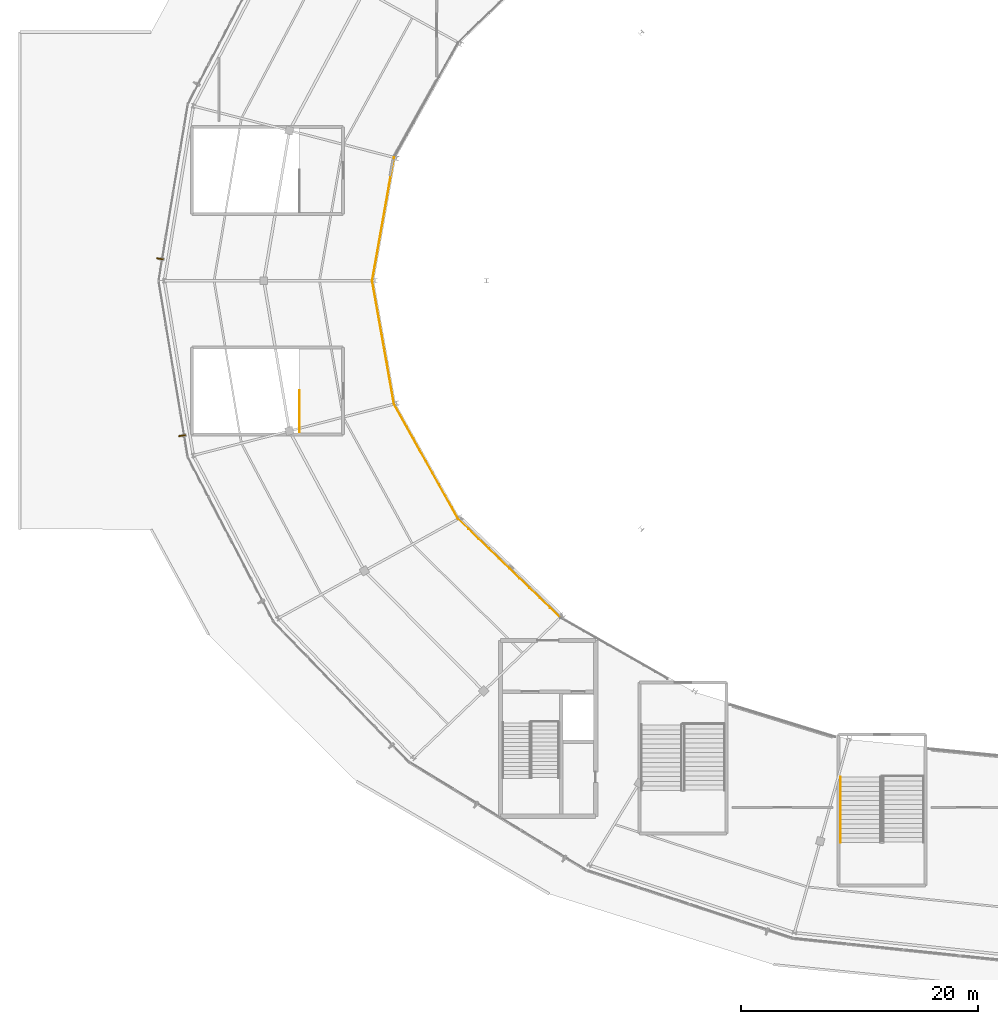
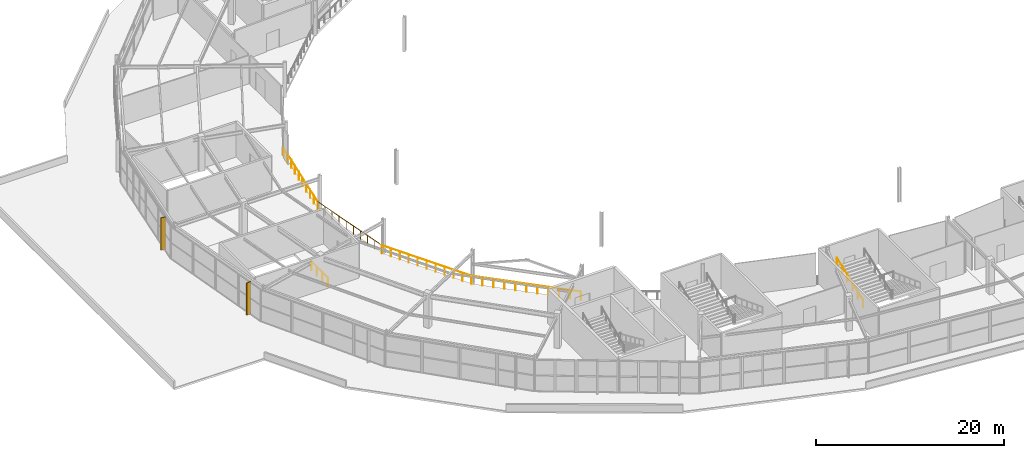
# One storey, part 117 of 126: 6 railings, 2 shading devices.
"""IFC4 building model written with IfcOpenShell, lengths in metres."""

from ifc_helpers import new_model, si_unit, direction, frame, origin, origin_2d, place, context, subcontext, project, spatial, rectangle, circle, extrude, material, layer, layer_set, type_object, element, save


model = new_model("IFC4")

# Units and contexts
model_context = context("Model", 3, precision=1e-05, world=origin(), true_north=direction((0.0, 1.0)))
body_context = subcontext(model_context, "Body", "Model", "MODEL_VIEW")
ifc_project = project(units=[si_unit("LENGTHUNIT", "METRE"), si_unit("AREAUNIT", "SQUARE_METRE"), si_unit("VOLUMEUNIT", "CUBIC_METRE"), si_unit("PLANEANGLEUNIT", "RADIAN"), si_unit("MASSUNIT", "GRAM", prefix="KILO")], contexts=[model_context])

# Site, building, storey
site_placement = place(None, origin())
site = spatial("IfcSite", under=ifc_project, at=site_placement, CompositionType="ELEMENT")
building_placement = place(site_placement, origin())
building = spatial("IfcBuilding", under=site, at=building_placement, Name="Kalgoora Escarpment Arena", CompositionType="ELEMENT")
storey_placement = place(building_placement, frame((0.0, 0.0, 18.89990234375)))
storey = spatial("IfcBuildingStorey", under=building, at=storey_placement, Name="L04", CompositionType="ELEMENT", Elevation=18.89990234375)

# Railings
ifc_material_1 = material(Name="Galvanised & powdercoated tubular steel", Category="steel")
railing_type_1 = type_object("IfcRailingType", Name="RAL-GUARD-1120", PredefinedType="GUARDRAIL", material=ifc_material_1)
railing_1_placement = place(storey_placement, frame((32.010009765625, 51.2099609375, 0.0)))
element("IfcRailing", 1, at=railing_1_placement, inside=storey, type_object=railing_type_1, Name="ST18 top landing well guardrail", PredefinedType="GUARDRAIL", context=body_context, shape_type="SweptSolid", body=[
    extrude(circle(Radius=0.02392578125, at=origin_2d()), frame((0.0, 0.0, 1.09619140625), z_axis=(0.0, 1.0, 0.0), x_axis=(-1.0, 0.0, 0.0)), (0.0, 0.0, 1.0), 3.530029296875),
    extrude(circle(Radius=0.02099609375, at=origin_2d()), origin(), (0.0, 0.0, 1.0), 1.072021484375),
    extrude(circle(Radius=0.02099609375, at=origin_2d()), frame((0.0, 1.1767578125, 0.0)), (0.0, 0.0, 1.0), 1.072021484375),
    extrude(circle(Radius=0.02099609375, at=origin_2d()), frame((0.0, 2.353271484375, 0.0)), (0.0, 0.0, 1.0), 1.072021484375),
    extrude(circle(Radius=0.02099609375, at=origin_2d()), frame((0.0, 3.530029296875, 0.0)), (0.0, 0.0, 1.0), 1.072021484375),
])
railing_2_placement = place(storey_placement, frame((39.99853515625, 74.41748046875, 0.0)))
element("IfcRailing", 2, at=railing_2_placement, inside=storey, type_object=railing_type_1, Name="L04 concourse bowl balustrade 12", PredefinedType="GUARDRAIL", context=body_context, shape_type="SweptSolid", body=[
    extrude(circle(Radius=0.02392578125, at=origin_2d()), frame((0.0, 0.0, 1.09619140625), z_axis=(-0.174725141808, -0.984617247879, 0.0), x_axis=(0.984617247879, -0.174725141808, 0.0)), (0.0, 0.0, 1.0), 10.580322265625),
    extrude(circle(Radius=0.02099609375, at=origin_2d()), origin(), (0.0, 0.0, 1.0), 1.072021484375),
    extrude(circle(Radius=0.02099609375, at=origin_2d()), frame((-0.205322265625, -1.157470703125, 0.0)), (0.0, 0.0, 1.0), 1.072021484375),
    extrude(circle(Radius=0.02099609375, at=origin_2d()), frame((-0.410888671875, -2.31494140625, 0.0)), (0.0, 0.0, 1.0), 1.072021484375),
    extrude(circle(Radius=0.02099609375, at=origin_2d()), frame((-0.6162109375, -3.472412109375, 0.0)), (0.0, 0.0, 1.0), 1.072021484375),
    extrude(circle(Radius=0.02099609375, at=origin_2d()), frame((-0.821533203125, -4.6298828125, 0.0)), (0.0, 0.0, 1.0), 1.072021484375),
    extrude(circle(Radius=0.02099609375, at=origin_2d()), frame((-1.027099609375, -5.78759765625, 0.0)), (0.0, 0.0, 1.0), 1.072021484375),
    extrude(circle(Radius=0.02099609375, at=origin_2d()), frame((-1.232421875, -6.945068359375, 0.0)), (0.0, 0.0, 1.0), 1.072021484375),
    extrude(circle(Radius=0.02099609375, at=origin_2d()), frame((-1.437744140625, -8.1025390625, 0.0)), (0.0, 0.0, 1.0), 1.072021484375),
    extrude(circle(Radius=0.02099609375, at=origin_2d()), frame((-1.643310546875, -9.260009765625, 0.0)), (0.0, 0.0, 1.0), 1.072021484375),
    extrude(circle(Radius=0.02099609375, at=origin_2d()), frame((-1.8486328125, -10.41748046875, 0.0)), (0.0, 0.0, 1.0), 1.072021484375),
])
railing_3_placement = place(storey_placement, frame((38.14990234375, 64.0, 0.0)))
element("IfcRailing", 3, at=railing_3_placement, inside=storey, type_object=railing_type_1, Name="L04 concourse bowl balustrade 13", PredefinedType="GUARDRAIL", context=body_context, shape_type="SweptSolid", body=[
    extrude(circle(Radius=0.02392578125, at=origin_2d()), frame((0.0, 0.0, 1.09619140625), z_axis=(0.174725141808, -0.984617247879, 0.0), x_axis=(0.984617247879, 0.174725141808, 0.0)), (0.0, 0.0, 1.0), 10.580322265625),
    extrude(circle(Radius=0.02099609375, at=origin_2d()), origin(), (0.0, 0.0, 1.0), 1.072021484375),
    extrude(circle(Radius=0.02099609375, at=origin_2d()), frame((0.205322265625, -1.157470703125, 0.0)), (0.0, 0.0, 1.0), 1.072021484375),
    extrude(circle(Radius=0.02099609375, at=origin_2d()), frame((0.410888671875, -2.31494140625, 0.0)), (0.0, 0.0, 1.0), 1.072021484375),
    extrude(circle(Radius=0.02099609375, at=origin_2d()), frame((0.6162109375, -3.472412109375, 0.0)), (0.0, 0.0, 1.0), 1.072021484375),
    extrude(circle(Radius=0.02099609375, at=origin_2d()), frame((0.821533203125, -4.6298828125, 0.0)), (0.0, 0.0, 1.0), 1.072021484375),
    extrude(circle(Radius=0.02099609375, at=origin_2d()), frame((1.027099609375, -5.78759765625, 0.0)), (0.0, 0.0, 1.0), 1.072021484375),
    extrude(circle(Radius=0.02099609375, at=origin_2d()), frame((1.232421875, -6.945068359375, 0.0)), (0.0, 0.0, 1.0), 1.072021484375),
    extrude(circle(Radius=0.02099609375, at=origin_2d()), frame((1.437744140625, -8.1025390625, 0.0)), (0.0, 0.0, 1.0), 1.072021484375),
    extrude(circle(Radius=0.02099609375, at=origin_2d()), frame((1.643310546875, -9.260009765625, 0.0)), (0.0, 0.0, 1.0), 1.072021484375),
    extrude(circle(Radius=0.02099609375, at=origin_2d()), frame((1.8486328125, -10.41748046875, 0.0)), (0.0, 0.0, 1.0), 1.072021484375),
])
railing_4_placement = place(storey_placement, frame((39.99853515625, 53.58251953125, 0.0)))
element("IfcRailing", 4, at=railing_4_placement, inside=storey, type_object=railing_type_1, Name="L04 concourse bowl balustrade 14", PredefinedType="GUARDRAIL", context=body_context, shape_type="SweptSolid", body=[
    extrude(circle(Radius=0.02392578125, at=origin_2d()), frame((0.0, 0.0, 1.09619140625), z_axis=(0.487470898581, -0.873139234622, 0.0), x_axis=(0.873139234622, 0.487470898581, 0.0)), (0.0, 0.0, 1.0), 11.117919921875),
    extrude(circle(Radius=0.02099609375, at=origin_2d()), origin(), (0.0, 0.0, 1.0), 1.072021484375),
    extrude(circle(Radius=0.02099609375, at=origin_2d()), frame((0.5419921875, -0.970703125, 0.0)), (0.0, 0.0, 1.0), 1.072021484375),
    extrude(circle(Radius=0.02099609375, at=origin_2d()), frame((1.083984375, -1.94140625, 0.0)), (0.0, 0.0, 1.0), 1.072021484375),
    extrude(circle(Radius=0.02099609375, at=origin_2d()), frame((1.6259765625, -2.912353515625, 0.0)), (0.0, 0.0, 1.0), 1.072021484375),
    extrude(circle(Radius=0.02099609375, at=origin_2d()), frame((2.16796875, -3.883056640625, 0.0)), (0.0, 0.0, 1.0), 1.072021484375),
    extrude(circle(Radius=0.02099609375, at=origin_2d()), frame((2.7099609375, -4.853759765625, 0.0)), (0.0, 0.0, 1.0), 1.072021484375),
    extrude(circle(Radius=0.02099609375, at=origin_2d()), frame((3.251708984375, -5.824462890625, 0.0)), (0.0, 0.0, 1.0), 1.072021484375),
    extrude(circle(Radius=0.02099609375, at=origin_2d()), frame((3.793701171875, -6.795166015625, 0.0)), (0.0, 0.0, 1.0), 1.072021484375),
    extrude(circle(Radius=0.02099609375, at=origin_2d()), frame((4.335693359375, -7.76611328125, 0.0)), (0.0, 0.0, 1.0), 1.072021484375),
    extrude(circle(Radius=0.02099609375, at=origin_2d()), frame((4.877685546875, -8.73681640625, 0.0)), (0.0, 0.0, 1.0), 1.072021484375),
    extrude(circle(Radius=0.02099609375, at=origin_2d()), frame((5.419677734375, -9.70751953125, 0.0)), (0.0, 0.0, 1.0), 1.072021484375),
])
railing_5_placement = place(storey_placement, frame((45.418212890625, 43.875, 0.0)))
element("IfcRailing", 5, at=railing_5_placement, inside=storey, type_object=railing_type_1, Name="L04 concourse bowl balustrade 15", PredefinedType="GUARDRAIL", context=body_context, shape_type="SweptSolid", body=[
    extrude(circle(Radius=0.02392578125, at=origin_2d()), frame((0.0, 0.0, 1.09619140625), z_axis=(0.718905968005, -0.695107336436, 0.0), x_axis=(0.695107336436, 0.718905968005, 0.0)), (0.0, 0.0, 1.0), 11.9921875),
    extrude(circle(Radius=0.02099609375, at=origin_2d()), origin(), (0.0, 0.0, 1.0), 1.072021484375),
    extrude(circle(Radius=0.02099609375, at=origin_2d()), frame((0.862060546875, -0.83349609375, 0.0)), (0.0, 0.0, 1.0), 1.072021484375),
    extrude(circle(Radius=0.02099609375, at=origin_2d()), frame((1.724365234375, -1.667236328125, 0.0)), (0.0, 0.0, 1.0), 1.072021484375),
    extrude(circle(Radius=0.02099609375, at=origin_2d()), frame((2.58642578125, -2.500732421875, 0.0)), (0.0, 0.0, 1.0), 1.072021484375),
    extrude(circle(Radius=0.02099609375, at=origin_2d()), frame((3.448486328125, -3.33447265625, 0.0)), (0.0, 0.0, 1.0), 1.072021484375),
    extrude(circle(Radius=0.02099609375, at=origin_2d()), frame((4.310546875, -4.16796875, 0.0)), (0.0, 0.0, 1.0), 1.072021484375),
    extrude(circle(Radius=0.02099609375, at=origin_2d()), frame((5.1728515625, -5.00146484375, 0.0)), (0.0, 0.0, 1.0), 1.072021484375),
    extrude(circle(Radius=0.02099609375, at=origin_2d()), frame((6.034912109375, -5.835205078125, 0.0)), (0.0, 0.0, 1.0), 1.072021484375),
    extrude(circle(Radius=0.02099609375, at=origin_2d()), frame((6.89697265625, -6.668701171875, 0.0)), (0.0, 0.0, 1.0), 1.072021484375),
    extrude(circle(Radius=0.02099609375, at=origin_2d()), frame((7.75927734375, -7.50244140625, 0.0)), (0.0, 0.0, 1.0), 1.072021484375),
    extrude(circle(Radius=0.02099609375, at=origin_2d()), frame((8.621337890625, -8.3359375, 0.0)), (0.0, 0.0, 1.0), 1.072021484375),
])
ifc_material_2 = material(Name="Brushed stainless steel 316 handrail", Category="steel")
railing_type_2 = type_object("IfcRailingType", Name="RAL-HAND-920", PredefinedType="HANDRAIL", material=ifc_material_2)
railing_6_placement = place(storey_placement, frame((77.699951171875, 16.550048828125, 2.360107421875)))
element("IfcRailing", 6, at=railing_6_placement, inside=storey, type_object=railing_type_2, Name="ST14 L04 pitched stair handrail F2R", PredefinedType="HANDRAIL", context=body_context, shape_type="SweptSolid", body=[
    extrude(circle(Radius=0.02392578125, at=origin_2d()), frame((0.0, 0.0, 0.89599609375), z_axis=(0.0, 0.935492612948, 0.353346248203), x_axis=(-1.0, 0.0, 0.0)), (0.0, 0.0, 1.0), 5.943359375),
    extrude(circle(Radius=0.02099609375, at=origin_2d()), origin(), (0.0, 0.0, 1.0), 0.871826171875),
    extrude(circle(Radius=0.02099609375, at=origin_2d()), frame((0.0, 1.112060546875, 0.419921875)), (0.0, 0.0, 1.0), 0.871826171875),
    extrude(circle(Radius=0.02099609375, at=origin_2d()), frame((0.0, 2.22412109375, 0.840087890625)), (0.0, 0.0, 1.0), 0.871826171875),
    extrude(circle(Radius=0.02099609375, at=origin_2d()), frame((0.0, 3.3359375, 1.260009765625)), (0.0, 0.0, 1.0), 0.871826171875),
    extrude(circle(Radius=0.02099609375, at=origin_2d()), frame((0.0, 4.447998046875, 1.68017578125)), (0.0, 0.0, 1.0), 0.871826171875),
    extrude(circle(Radius=0.02099609375, at=origin_2d()), frame((0.0, 5.56005859375, 2.10009765625)), (0.0, 0.0, 1.0), 0.871826171875),
])

# Shading devices
ifc_material_3 = material(Name="Champagne anodised extruded aluminium", Category="aluminium")
ifc_layer = layer(ifc_material_3, 0.080078125)
ifc_layer_set = layer_set([ifc_layer], Name="SHD-FIN-CHAMP")
shading_device_type = type_object("IfcShadingDeviceType", Name="SHD-FIN-CHAMP", PredefinedType="USERDEFINED", material=ifc_layer_set)
shading_device_1_placement = place(storey_placement, frame((22.103515625, 50.921142578125, 0.0), z_axis=(0.0, 0.0, 1.0), x_axis=(-0.986572161607, -0.163325962242, 0.0)))
element("IfcShadingDevice", 7, at=shading_device_1_placement, inside=storey, type_object=shading_device_type, Name="L04 champagne anodised solar fin 26", ObjectType="FIN", PredefinedType="USERDEFINED", context=body_context, shape_type="SweptSolid", body=[
    extrude(rectangle(XDim=0.56005859375, YDim=0.10009765625, at=origin_2d()), origin(), (0.0, 0.0, 1.0), 4.2099609375),
])
shading_device_2_placement = place(storey_placement, frame((20.2451171875, 65.8486328125, 0.0), z_axis=(0.0, 0.0, 1.0), x_axis=(-0.986572161607, 0.163325962242, 0.0)))
element("IfcShadingDevice", 8, at=shading_device_2_placement, inside=storey, type_object=shading_device_type, Name="L04 champagne anodised solar fin 27", ObjectType="FIN", PredefinedType="USERDEFINED", context=body_context, shape_type="SweptSolid", body=[
    extrude(rectangle(XDim=0.56005859375, YDim=0.10009765625, at=origin_2d()), origin(), (0.0, 0.0, 1.0), 4.219970703125),
])

save(model, "model.ifc")
